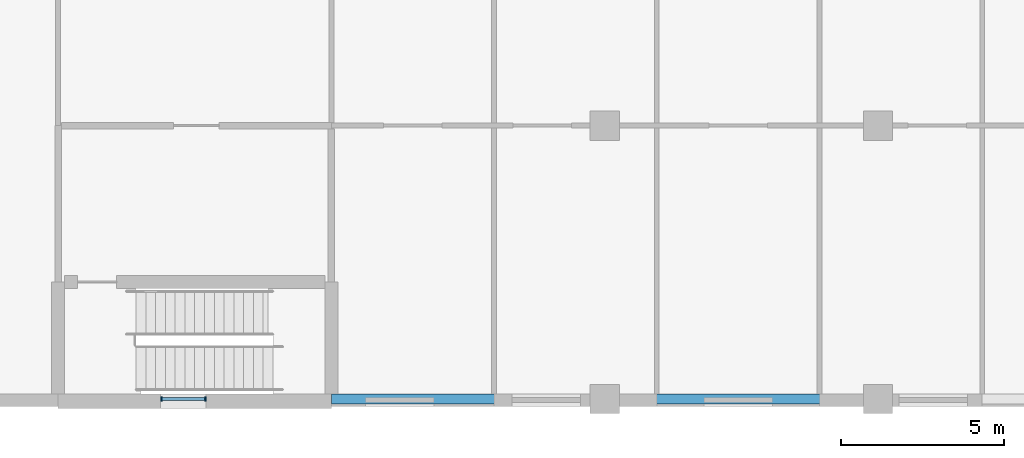
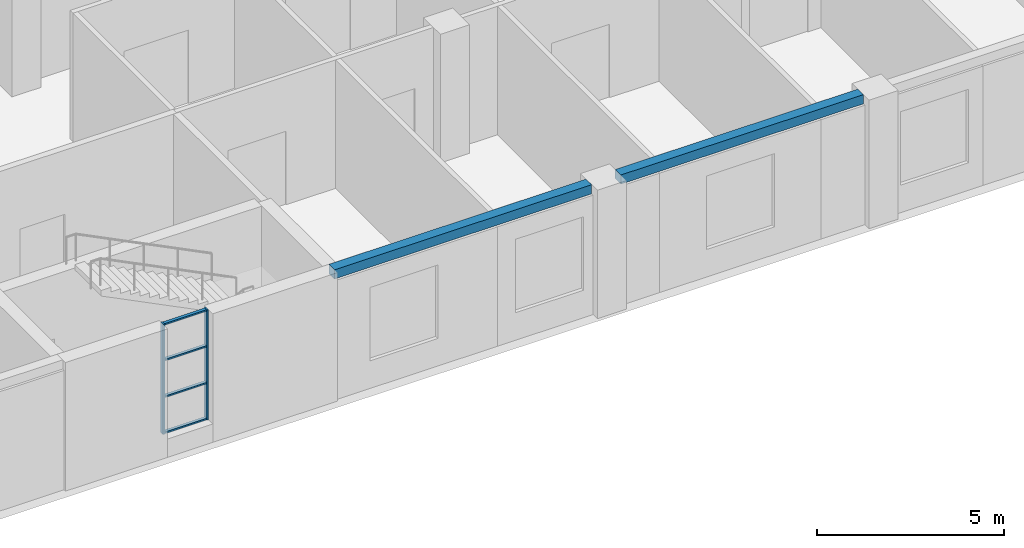
# One storey, part 3 of 66: 6 members, 2 beams, 1 element without a shape of its own.
"""IFC4 building model written with IfcOpenShell, lengths in metres."""

import ifcopenshell
import ifcopenshell.guid

model = None  # the IFC model being written
_history = None  # IfcOwnerHistory: only IFC2X3 demands one
_inside = {}  # id of a spatial element -> (the spatial element, [elements in it])
_under = {}  # id of a project, library or spatial element -> (it, [spatial elements below it])
_declared = {}  # id of a project -> (the project, [libraries it declares])
_typed = {}  # id of a type object -> (the type object, [elements of that type])
_made_of = {}  # id of a material, layer set ... -> (it, [elements and type objects made of it])


def new_model(schema):
    """Start an empty IFC model of exactly this schema.

    Asked for "IFC4X3", IfcOpenShell would pick the latest addendum, in which some entities
    have other attributes; the version numbers below select the first issue.
    IFC2X3 requires an IfcOwnerHistory on every rooted entity: one is made here for all.
    """
    global model, _history
    if schema == "IFC4X3":
        model = ifcopenshell.file(schema_version=(4, 3, 0, 0))
    else:
        model = ifcopenshell.file(schema=schema)
    _inside.clear()
    _under.clear()
    _declared.clear()
    _typed.clear()
    _made_of.clear()
    _history = None
    if model.schema == "IFC2X3":
        org = make("IfcOrganization", Name="unknown")
        user = make(
            "IfcPersonAndOrganization",
            ThePerson=make("IfcPerson", FamilyName="unknown"),
            TheOrganization=org,
        )
        app = make(
            "IfcApplication",
            ApplicationDeveloper=org,
            Version="unknown",
            ApplicationFullName="unknown",
            ApplicationIdentifier="unknown",
        )
        _history = make(
            "IfcOwnerHistory",
            OwningUser=user,
            OwningApplication=app,
            ChangeAction="ADDED",
            CreationDate=0,
        )
    return model


def make(cls, **values):
    """One entity of the class cls with the attributes given. An attribute that is None is left unset."""
    return model.create_entity(
        cls, **{name: value for name, value in values.items() if value is not None}
    )


def rooted(cls, **values):
    """An entity with a GlobalId (a new one), such as an element, a storey or a relation."""
    return make(cls, GlobalId=ifcopenshell.guid.new(), OwnerHistory=_history, **values)


def si_unit(unit_type, name, prefix=None):
    """IfcSIUnit, for example si_unit("LENGTHUNIT", "METRE", prefix="MILLI")."""
    return make("IfcSIUnit", UnitType=unit_type, Prefix=prefix, Name=name)


def assignment(units):
    """IfcUnitAssignment: the units of a project."""
    return None if units is None else make("IfcUnitAssignment", Units=units)


def point(xyz):
    """IfcCartesianPoint."""
    return None if xyz is None else make("IfcCartesianPoint", Coordinates=xyz)


def direction(xyz):
    """IfcDirection."""
    return None if xyz is None else make("IfcDirection", DirectionRatios=xyz)


def frame(location, z_axis=None, x_axis=None):
    """IfcAxis2Placement3D, a coordinate frame: its origin and axes. An axis left out is left unset."""
    return make(
        "IfcAxis2Placement3D",
        Location=point(location),
        Axis=direction(z_axis),
        RefDirection=direction(x_axis),
    )


def frame_2d(location, x_axis=None):
    """IfcAxis2Placement2D, a coordinate frame in the plane: its origin and x axis."""
    return make(
        "IfcAxis2Placement2D", Location=point(location), RefDirection=direction(x_axis)
    )


def origin():
    """The frame at (0, 0, 0) with its axes left unset."""
    return frame((0.0, 0.0, 0.0))


def origin_2d():
    """The frame at (0, 0) in the plane with its x axis left unset."""
    return frame_2d((0.0, 0.0))


def place(relative_to, where):
    """IfcLocalPlacement: puts the frame where relative to a parent placement (None: the world)."""
    return make(
        "IfcLocalPlacement", PlacementRelTo=relative_to, RelativePlacement=where
    )


def context(
    kind, dimensions, precision=None, world=None, true_north=None, identifier=None
):
    """IfcGeometricRepresentationContext, for example the 3D "Model" context."""
    return make(
        "IfcGeometricRepresentationContext",
        ContextIdentifier=identifier,
        ContextType=kind,
        CoordinateSpaceDimension=dimensions,
        Precision=precision,
        WorldCoordinateSystem=world,
        TrueNorth=true_north,
    )


def subcontext(parent, identifier, kind, view, scale=None):
    """IfcGeometricRepresentationSubContext, for example "Body" below "Model"."""
    return make(
        "IfcGeometricRepresentationSubContext",
        ContextIdentifier=identifier,
        ContextType=kind,
        ParentContext=parent,
        TargetScale=scale,
        TargetView=view,
    )


def project(units=None, contexts=None):
    """IfcProject with its units and contexts."""
    return rooted(
        "IfcProject",
        Name="project",
        RepresentationContexts=contexts,
        UnitsInContext=assignment(units),
    )


def spatial(cls, under=None, at=None, **own):
    """A site, building, storey or space (cls), placed at a placement, below another one or the project."""
    s = rooted(cls, ObjectPlacement=at, **own)
    if under is not None:
        _under.setdefault(under.id(), (under, []))[1].append(s)
    return s


def profile(cls, at=None, kind="AREA", **sizes):
    """A parametric profile (cls). Its sizes go by their IFC names, for example OverallWidth=200.0."""
    return make(cls, ProfileType=kind, Position=at, **sizes)


def rectangle(**sizes):
    """IfcRectangleProfileDef."""
    return profile("IfcRectangleProfileDef", **sizes)


def extrude(swept, where, along, depth):
    """IfcExtrudedAreaSolid: the profile swept, set in the frame where, extruded along a direction by depth."""
    return make(
        "IfcExtrudedAreaSolid",
        SweptArea=swept,
        Position=where,
        ExtrudedDirection=direction(along),
        Depth=depth,
    )


def shape(context_of_items, identifier, shape_type, items):
    """IfcShapeRepresentation: the items that make up one representation, for example the "Body"."""
    return make(
        "IfcShapeRepresentation",
        ContextOfItems=context_of_items,
        RepresentationIdentifier=identifier,
        RepresentationType=shape_type,
        Items=items,
    )


def material(Name=None, Category=None):
    """IfcMaterial."""
    return make("IfcMaterial", Name=Name, Category=Category)


def material_profile(
    of_material, cross_section, Name=None, Category=None, Priority=None
):
    """IfcMaterialProfile: a cross section and its material."""
    return make(
        "IfcMaterialProfile",
        Name=Name,
        Material=of_material,
        Profile=cross_section,
        Priority=Priority,
        Category=Category,
    )


def profile_set(profiles, Name=None, composite=None):
    """IfcMaterialProfileSet."""
    return make(
        "IfcMaterialProfileSet",
        Name=Name,
        MaterialProfiles=profiles,
        CompositeProfile=composite,
    )


def made_of(thing, what):
    """Note that an element or type object is made of a material, layer set ...; save() writes the relation."""
    if what is not None:
        _made_of.setdefault(what.id(), (what, []))[1].append(thing)
    return thing


def type_object(cls, material=None, **own):
    """A type object (cls), such as IfcWallType, which elements share."""
    return made_of(rooted(cls, **own), material)


def element(
    cls,
    number,
    at=None,
    inside=None,
    cuts=None,
    type_object=None,
    material=None,
    context=None,
    identifier="Body",
    shape_type=None,
    held_by="IfcProductDefinitionShape",
    body=None,
    shapes=None,
    **own,
):
    """One element of the class cls, such as IfcWall. Its Tag is "e" and its number.

    at: its placement. inside: the storey or other place that contains it. cuts: it is an
    opening in that element (IfcRelVoidsElement). A single representation is given by context,
    identifier, shape_type and body (its items); several are given by shapes. held_by: the class
    of the entity that holds the representations. save() writes the other relations.
    """
    e = rooted(cls, Tag="e%d" % number, ObjectPlacement=at, **own)
    if body is not None:
        shapes = [shape(context, identifier, shape_type, body)]
    if shapes is not None:
        e.Representation = make(held_by, Representations=shapes)
    if inside is not None:
        _inside.setdefault(inside.id(), (inside, []))[1].append(e)
    if cuts is not None:
        rooted(
            "IfcRelVoidsElement", RelatingBuildingElement=cuts, RelatedOpeningElement=e
        )
    if type_object is not None:
        _typed.setdefault(type_object.id(), (type_object, []))[1].append(e)
    return made_of(e, material)


def aggregate(whole, parts):
    """IfcRelAggregates: a whole, such as a stair, and the parts it consists of."""
    return rooted("IfcRelAggregates", RelatingObject=whole, RelatedObjects=parts)


def save(model, path):
    """Write the relations noted so far, then the file.

    IfcRelAggregates (storeys below a building ...), IfcRelContainedInSpatialStructure (elements
    in a storey), IfcRelDefinesByType, IfcRelAssociatesMaterial and IfcRelDeclares: one each for
    every whole, place, type object, material and project.
    """
    for whole, parts in _under.values():
        aggregate(whole, parts)
    for where, things in _inside.values():
        rooted(
            "IfcRelContainedInSpatialStructure",
            RelatedElements=things,
            RelatingStructure=where,
        )
    for kind, things in _typed.values():
        rooted("IfcRelDefinesByType", RelatedObjects=things, RelatingType=kind)
    for what, things in _made_of.values():
        rooted("IfcRelAssociatesMaterial", RelatedObjects=things, RelatingMaterial=what)
    for by, libraries in _declared.values():
        rooted("IfcRelDeclares", RelatingContext=by, RelatedDefinitions=libraries)
    model.write(path)


model = new_model("IFC4")

# Units and contexts
model_context = context("Model", 3, precision=1e-05, world=origin(), true_north=direction((0.0, 1.0)))
body_context = subcontext(model_context, "Body", "Model", "MODEL_VIEW")
ifc_project = project(units=[si_unit("LENGTHUNIT", "METRE"), si_unit("AREAUNIT", "SQUARE_METRE"), si_unit("VOLUMEUNIT", "CUBIC_METRE"), si_unit("PLANEANGLEUNIT", "RADIAN"), si_unit("MASSUNIT", "GRAM", prefix="KILO")], contexts=[model_context])

# Site, building, storey
site_placement = place(None, origin())
site = spatial("IfcSite", under=ifc_project, at=site_placement, CompositionType="ELEMENT")
building_placement = place(site_placement, origin())
building = spatial("IfcBuilding", under=site, at=building_placement, Name="Yavir Park General Hospital", CompositionType="ELEMENT")
storey_placement = place(building_placement, frame((0.0, 0.0, 8.39990234375)))
storey = spatial("IfcBuildingStorey", under=building, at=storey_placement, Name="L02", CompositionType="ELEMENT", Elevation=8.39990234375)

# Beams
ifc_material_1 = material(Name="Concrete C35/45", Category="concrete")
ifc_material_profile_1 = material_profile(ifc_material_1, rectangle(XDim=0.300048828125, YDim=0.300048828125, at=origin_2d()), Name="RC300x300")
ifc_profile_set_1 = profile_set([ifc_material_profile_1], Name="Concrete C35/45")
beam_type = type_object("IfcBeamType", Name="RC BEAM 300x300 edge beam", PredefinedType="BEAM", material=ifc_profile_set_1)
beam_1_placement = place(storey_placement, frame((42.0, 0.0, 4.050048828125), z_axis=(1.0, 0.0, 0.0), x_axis=(0.0, 1.0, 0.0)))
element("IfcBeam", 1, at=beam_1_placement, inside=storey, type_object=beam_type, Name="B:EDGE:L02:005", PredefinedType="BEAM", context=body_context, shape_type="SweptSolid", body=[
    extrude(rectangle(XDim=0.300048828125, YDim=0.300048828125, at=origin_2d()), origin(), (0.0, 0.0, 1.0), 7.949951171875),
])
beam_2_placement = place(storey_placement, frame((50.85009765625, 0.0, 4.050048828125), z_axis=(1.0, 0.0, 0.0), x_axis=(0.0, 1.0, 0.0)))
element("IfcBeam", 2, at=beam_2_placement, inside=storey, type_object=beam_type, Name="B:EDGE:L02:006", PredefinedType="BEAM", context=body_context, shape_type="SweptSolid", body=[
    extrude(rectangle(XDim=0.300048828125, YDim=0.300048828125, at=origin_2d()), origin(), (0.0, 0.0, 1.0), 7.5),
])

# Curtain wall, members
ifc_material_2 = material(Name="Aluminium curtain wall frame with insulated glazing", Category="aluminium")
curtain_wall_type = type_object("IfcCurtainWallType", Name="Stair light slot, podium, 3600 high, 1400 module", PredefinedType="NOTDEFINED", material=ifc_material_2)
curtain_wall_placement = place(storey_placement, origin())
curtain_wall = element("IfcCurtainWall", 3, at=curtain_wall_placement, inside=storey, type_object=curtain_wall_type, Name="CW57 L02-001", PredefinedType="NOTDEFINED")
ifc_material_3 = material(Name="Aluminium", Category="aluminium")
ifc_material_profile_2 = material_profile(ifc_material_3, rectangle(XDim=0.139892578125, YDim=0.050048828125, at=origin_2d()), Name="AL 50x140")
ifc_profile_set_2 = profile_set([ifc_material_profile_2], Name="Aluminium")
member_type_1 = type_object("IfcMemberType", Name="Stair light slot, podium, 3600 high mullion 50 x 140", PredefinedType="MULLION", material=ifc_profile_set_2)
member_1_placement = place(storey_placement, frame((36.77490234375, 0.0, 0.60009765625), z_axis=(0.0, 0.0, 1.0), x_axis=(0.0, 1.0, 0.0)))
member_1 = element("IfcMember", 4, at=member_1_placement, type_object=member_type_1, Name="CW57 mullion 1", PredefinedType="MULLION", context=body_context, shape_type="SweptSolid", body=[
    extrude(rectangle(XDim=0.139892578125, YDim=0.050048828125, at=origin_2d()), origin(), (0.0, 0.0, 1.0), 3.60009765625),
])
member_2_placement = place(storey_placement, frame((38.125, 0.0, 0.60009765625), z_axis=(0.0, 0.0, 1.0), x_axis=(0.0, 1.0, 0.0)))
member_2 = element("IfcMember", 5, at=member_2_placement, type_object=member_type_1, Name="CW57 mullion 2", PredefinedType="MULLION", context=body_context, shape_type="SweptSolid", body=[
    extrude(rectangle(XDim=0.139892578125, YDim=0.050048828125, at=origin_2d()), origin(), (0.0, 0.0, 1.0), 3.60009765625),
])
ifc_material_4 = material(Name="Aluminium", Category="aluminium")
ifc_material_profile_3 = material_profile(ifc_material_4, rectangle(XDim=0.10009765625, YDim=0.050048828125, at=origin_2d()), Name="AL 100x50")
ifc_profile_set_3 = profile_set([ifc_material_profile_3], Name="Aluminium")
member_type_2 = type_object("IfcMemberType", Name="Stair light slot, podium, 3600 high transom 50 x 100", PredefinedType="MULLION", material=ifc_profile_set_3)
member_3_placement = place(storey_placement, frame((36.800048828125, 0.0, 0.625), z_axis=(1.0, 0.0, 0.0), x_axis=(0.0, 1.0, 0.0)))
member_3 = element("IfcMember", 6, at=member_3_placement, type_object=member_type_2, Name="CW57 transom 1.1", PredefinedType="MULLION", context=body_context, shape_type="SweptSolid", body=[
    extrude(rectangle(XDim=0.10009765625, YDim=0.050048828125, at=origin_2d()), origin(), (0.0, 0.0, 1.0), 1.300048828125),
])
member_4_placement = place(storey_placement, frame((36.800048828125, 0.0, 1.800048828125), z_axis=(1.0, 0.0, 0.0), x_axis=(0.0, 1.0, 0.0)))
member_4 = element("IfcMember", 7, at=member_4_placement, type_object=member_type_2, Name="CW57 transom 1.2", PredefinedType="MULLION", context=body_context, shape_type="SweptSolid", body=[
    extrude(rectangle(XDim=0.10009765625, YDim=0.050048828125, at=origin_2d()), origin(), (0.0, 0.0, 1.0), 1.300048828125),
])
member_5_placement = place(storey_placement, frame((36.800048828125, 0.0, 3.0), z_axis=(1.0, 0.0, 0.0), x_axis=(0.0, 1.0, 0.0)))
member_5 = element("IfcMember", 8, at=member_5_placement, type_object=member_type_2, Name="CW57 transom 1.3", PredefinedType="MULLION", context=body_context, shape_type="SweptSolid", body=[
    extrude(rectangle(XDim=0.10009765625, YDim=0.050048828125, at=origin_2d()), origin(), (0.0, 0.0, 1.0), 1.300048828125),
])
member_6_placement = place(storey_placement, frame((36.800048828125, 0.0, 4.175048828125), z_axis=(1.0, 0.0, 0.0), x_axis=(0.0, 1.0, 0.0)))
member_6 = element("IfcMember", 9, at=member_6_placement, type_object=member_type_2, Name="CW57 transom 1.4", PredefinedType="MULLION", context=body_context, shape_type="SweptSolid", body=[
    extrude(rectangle(XDim=0.10009765625, YDim=0.050048828125, at=origin_2d()), origin(), (0.0, 0.0, 1.0), 1.300048828125),
])
aggregate(curtain_wall, [member_1, member_2, member_3, member_4, member_5, member_6])

save(model, "model.ifc")
